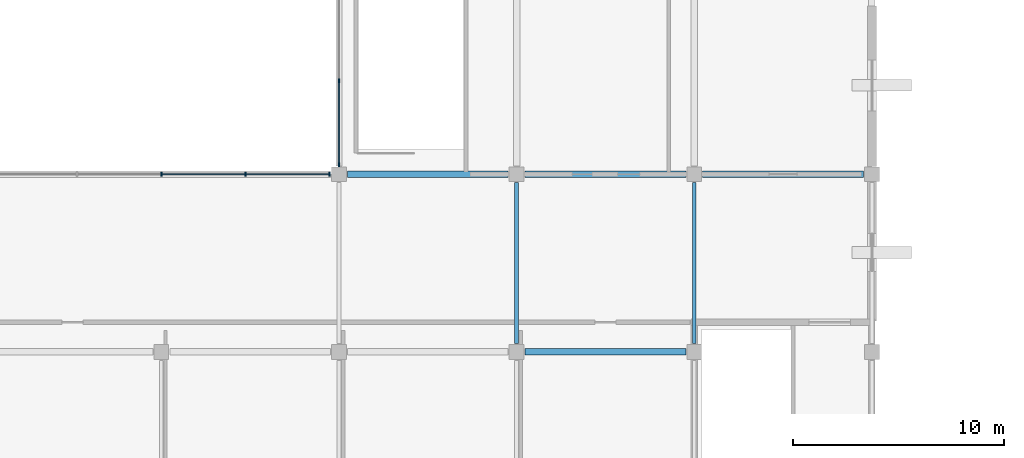
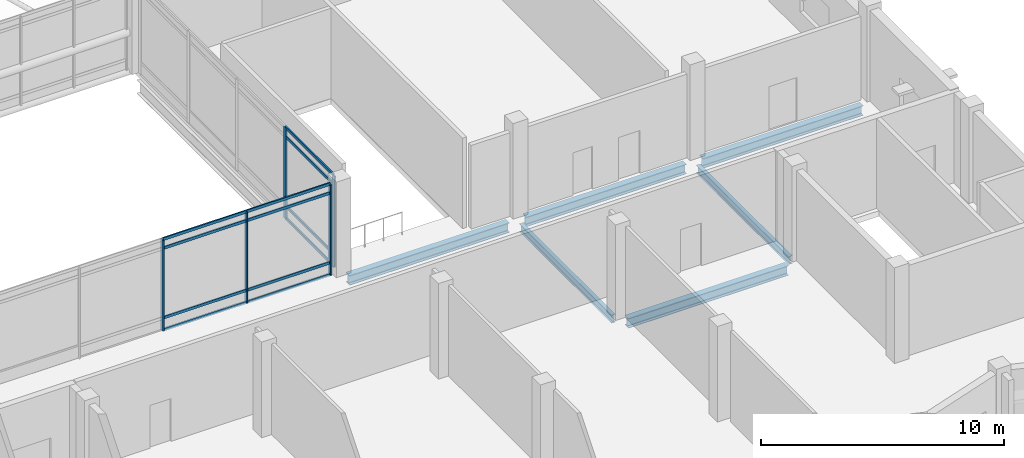
# One storey, part 20 of 110: 17 members, 6 beams, 2 elements without a shape of their own.
"""IFC4 building model written with IfcOpenShell, lengths in metres."""

from ifc_helpers import new_model, si_unit, direction, frame, origin, origin_2d, place, context, subcontext, project, spatial, rectangle, i_section, extrude, material, layer, layer_set, material_profile, profile_set, type_object, element, aggregate, save


model = new_model("IFC4")

# Units and contexts
model_context = context("Model", 3, precision=1e-05, world=origin(), true_north=direction((0.0, 1.0)))
body_context = subcontext(model_context, "Body", "Model", "MODEL_VIEW")
ifc_project = project(units=[si_unit("LENGTHUNIT", "METRE"), si_unit("AREAUNIT", "SQUARE_METRE"), si_unit("VOLUMEUNIT", "CUBIC_METRE"), si_unit("PLANEANGLEUNIT", "RADIAN"), si_unit("MASSUNIT", "GRAM", prefix="KILO")], contexts=[model_context])

# Site, building, storey
site_placement = place(None, origin())
site = spatial("IfcSite", under=ifc_project, at=site_placement, CompositionType="ELEMENT")
building_placement = place(site_placement, origin())
building = spatial("IfcBuilding", under=site, at=building_placement, Name="Qawsi Khor Wholesale Market", CompositionType="ELEMENT")
storey_placement = place(building_placement, frame((0.0, 0.0, 11.39990234375)))
storey = spatial("IfcBuildingStorey", under=building, at=storey_placement, Name="L02", CompositionType="ELEMENT", Elevation=11.39990234375)

# Curtain wall, members
ifc_material_1 = material(Name="Aluminium Anodised Bronze", Category="aluminium")
ifc_layer = layer(ifc_material_1, 0.179931640625, Name="Aluminium Anodised Bronze")
ifc_layer_set = layer_set([ifc_layer], Name="Aluminium Anodised Bronze")
curtain_wall_type = type_object("IfcCurtainWallType", Name="Atrium Full-Height Curtain Wall CW-02", PredefinedType="NOTDEFINED", material=ifc_layer_set)
curtain_wall_1_placement = place(storey_placement, origin())
curtain_wall_1 = element("IfcCurtainWall", 1, at=curtain_wall_1_placement, inside=storey, type_object=curtain_wall_type, Name="Curtain wall CW-CW-02-L02-041", PredefinedType="NOTDEFINED")
ifc_material_profile_1 = material_profile(ifc_material_1, rectangle(XDim=0.070068359375, YDim=0.199951171875, at=origin_2d()), Name="ALU MULLION 70x200")
ifc_profile_set_1 = profile_set([ifc_material_profile_1], Name="Aluminium Anodised Bronze")
member_type_1 = type_object("IfcMemberType", Name="Curtain Wall Mullion CW-02 ALU MULLION 70x200", PredefinedType="MULLION", material=ifc_profile_set_1)
member_1_placement = place(storey_placement, frame((159.60009765625, 25.199951171875, -0.02001953125), z_axis=(0.0, 0.0, 1.0), x_axis=(1.0, 0.0, 0.0)))
member_1 = element("IfcMember", 2, at=member_1_placement, type_object=member_type_1, Name="Mullion CW-CW-02-L02-041-M02", PredefinedType="MULLION", context=body_context, shape_type="SweptSolid", body=[
    extrude(rectangle(XDim=0.070068359375, YDim=0.199951171875, at=origin_2d()), origin(), (0.0, 0.0, 1.0), 4.570068359375),
])
member_2_placement = place(storey_placement, frame((163.577392578125, 25.199951171875, -0.02001953125), z_axis=(0.0, 0.0, 1.0), x_axis=(1.0, 0.0, 0.0)))
member_2 = element("IfcMember", 3, at=member_2_placement, type_object=member_type_1, Name="Mullion CW-CW-02-L02-041-M03", PredefinedType="MULLION", context=body_context, shape_type="SweptSolid", body=[
    extrude(rectangle(XDim=0.070068359375, YDim=0.199951171875, at=origin_2d()), origin(), (0.0, 0.0, 1.0), 4.570068359375),
])
member_3_placement = place(storey_placement, frame((167.554931640625, 25.199951171875, -0.02001953125), z_axis=(0.0, 0.0, 1.0), x_axis=(1.0, 0.0, 0.0)))
member_3 = element("IfcMember", 4, at=member_3_placement, type_object=member_type_1, Name="Mullion CW-CW-02-L02-041-M04", PredefinedType="MULLION", context=body_context, shape_type="SweptSolid", body=[
    extrude(rectangle(XDim=0.070068359375, YDim=0.199951171875, at=origin_2d()), origin(), (0.0, 0.0, 1.0), 4.570068359375),
])

curtain_wall_2_placement = place(storey_placement, origin())
curtain_wall_2 = element("IfcCurtainWall", 5, at=curtain_wall_2_placement, inside=storey, type_object=curtain_wall_type, Name="Curtain wall CW-CW-02-L02-045", PredefinedType="NOTDEFINED")
member_4_placement = place(storey_placement, frame((168.0, 25.64501953125, -0.02001953125), z_axis=(0.0, 0.0, 1.0), x_axis=(1.0, 0.0, 0.0)))
member_4 = element("IfcMember", 6, at=member_4_placement, type_object=member_type_1, Name="Mullion CW-CW-02-L02-045-M00", PredefinedType="MULLION", context=body_context, shape_type="SweptSolid", body=[
    extrude(rectangle(XDim=0.070068359375, YDim=0.199951171875, at=origin_2d()), origin(), (0.0, 0.0, 1.0), 4.570068359375),
])
member_5_placement = place(storey_placement, frame((168.0, 29.62255859375, -0.02001953125), z_axis=(0.0, 0.0, 1.0), x_axis=(1.0, 0.0, 0.0)))
member_5 = element("IfcMember", 7, at=member_5_placement, type_object=member_type_1, Name="Mullion CW-CW-02-L02-045-M01", PredefinedType="MULLION", context=body_context, shape_type="SweptSolid", body=[
    extrude(rectangle(XDim=0.070068359375, YDim=0.199951171875, at=origin_2d()), origin(), (0.0, 0.0, 1.0), 4.570068359375),
])

# Member
ifc_material_profile_2 = material_profile(ifc_material_1, rectangle(XDim=0.06494140625, YDim=0.139892578125, at=origin_2d()), Name="ALU TRANSOM 65x140")
ifc_profile_set_2 = profile_set([ifc_material_profile_2], Name="Aluminium Anodised Bronze")
member_type_2 = type_object("IfcMemberType", Name="Curtain Wall Transom CW-02 ALU TRANSOM 65x140", PredefinedType="USERDEFINED", material=ifc_profile_set_2)
member_6_placement = place(storey_placement, frame((159.60009765625, 25.199951171875, 0.0), z_axis=(1.0, 0.0, 0.0), x_axis=(0.0, 1.0, 0.0)))
member_6 = element("IfcMember", 8, at=member_6_placement, type_object=member_type_2, Name="Transom CW-CW-02-L02-041-T0_02", ObjectType="TRANSOM", PredefinedType="USERDEFINED", context=body_context, shape_type="SweptSolid", body=[
    extrude(rectangle(XDim=0.06494140625, YDim=0.139892578125, at=origin_2d()), origin(), (0.0, 0.0, 1.0), 3.977294921875),
])

member_7_placement = place(storey_placement, frame((163.577392578125, 25.199951171875, 0.0), z_axis=(1.0, 0.0, 0.0), x_axis=(0.0, 1.0, 0.0)))
member_7 = element("IfcMember", 9, at=member_7_placement, type_object=member_type_2, Name="Transom CW-CW-02-L02-041-T0_03", ObjectType="TRANSOM", PredefinedType="USERDEFINED", context=body_context, shape_type="SweptSolid", body=[
    extrude(rectangle(XDim=0.06494140625, YDim=0.139892578125, at=origin_2d()), origin(), (0.0, 0.0, 1.0), 3.9775390625),
])

member_8_placement = place(storey_placement, frame((159.60009765625, 25.199951171875, 0.60009765625), z_axis=(1.0, 0.0, 0.0), x_axis=(0.0, 1.0, 0.0)))
member_8 = element("IfcMember", 10, at=member_8_placement, type_object=member_type_2, Name="Transom CW-CW-02-L02-041-T1_02", ObjectType="TRANSOM", PredefinedType="USERDEFINED", context=body_context, shape_type="SweptSolid", body=[
    extrude(rectangle(XDim=0.06494140625, YDim=0.139892578125, at=origin_2d()), origin(), (0.0, 0.0, 1.0), 3.977294921875),
])

member_9_placement = place(storey_placement, frame((163.577392578125, 25.199951171875, 0.60009765625), z_axis=(1.0, 0.0, 0.0), x_axis=(0.0, 1.0, 0.0)))
member_9 = element("IfcMember", 11, at=member_9_placement, type_object=member_type_2, Name="Transom CW-CW-02-L02-041-T1_03", ObjectType="TRANSOM", PredefinedType="USERDEFINED", context=body_context, shape_type="SweptSolid", body=[
    extrude(rectangle(XDim=0.06494140625, YDim=0.139892578125, at=origin_2d()), origin(), (0.0, 0.0, 1.0), 3.9775390625),
])

member_10_placement = place(storey_placement, frame((159.60009765625, 25.199951171875, 4.10009765625), z_axis=(1.0, 0.0, 0.0), x_axis=(0.0, 1.0, 0.0)))
member_10 = element("IfcMember", 12, at=member_10_placement, type_object=member_type_2, Name="Transom CW-CW-02-L02-041-T2_02", ObjectType="TRANSOM", PredefinedType="USERDEFINED", context=body_context, shape_type="SweptSolid", body=[
    extrude(rectangle(XDim=0.06494140625, YDim=0.139892578125, at=origin_2d()), origin(), (0.0, 0.0, 1.0), 3.977294921875),
])

member_11_placement = place(storey_placement, frame((163.577392578125, 25.199951171875, 4.10009765625), z_axis=(1.0, 0.0, 0.0), x_axis=(0.0, 1.0, 0.0)))
member_11 = element("IfcMember", 13, at=member_11_placement, type_object=member_type_2, Name="Transom CW-CW-02-L02-041-T2_03", ObjectType="TRANSOM", PredefinedType="USERDEFINED", context=body_context, shape_type="SweptSolid", body=[
    extrude(rectangle(XDim=0.06494140625, YDim=0.139892578125, at=origin_2d()), origin(), (0.0, 0.0, 1.0), 3.9775390625),
])

member_12_placement = place(storey_placement, frame((159.60009765625, 25.199951171875, 4.550048828125), z_axis=(1.0, 0.0, 0.0), x_axis=(0.0, 1.0, 0.0)))
member_12 = element("IfcMember", 14, at=member_12_placement, type_object=member_type_2, Name="Transom CW-CW-02-L02-041-T3_02", ObjectType="TRANSOM", PredefinedType="USERDEFINED", context=body_context, shape_type="SweptSolid", body=[
    extrude(rectangle(XDim=0.06494140625, YDim=0.139892578125, at=origin_2d()), origin(), (0.0, 0.0, 1.0), 3.977294921875),
])

member_13_placement = place(storey_placement, frame((163.577392578125, 25.199951171875, 4.550048828125), z_axis=(1.0, 0.0, 0.0), x_axis=(0.0, 1.0, 0.0)))
member_13 = element("IfcMember", 15, at=member_13_placement, type_object=member_type_2, Name="Transom CW-CW-02-L02-041-T3_03", ObjectType="TRANSOM", PredefinedType="USERDEFINED", context=body_context, shape_type="SweptSolid", body=[
    extrude(rectangle(XDim=0.06494140625, YDim=0.139892578125, at=origin_2d()), origin(), (0.0, 0.0, 1.0), 3.9775390625),
])

aggregate(curtain_wall_1, [member_1, member_2, member_3, member_6, member_7, member_8, member_9, member_10, member_11, member_12, member_13])

member_14_placement = place(storey_placement, frame((168.0, 25.64501953125, 0.0), z_axis=(0.0, 1.0, 0.0), x_axis=(-1.0, 0.0, 0.0)))
member_14 = element("IfcMember", 16, at=member_14_placement, type_object=member_type_2, Name="Transom CW-CW-02-L02-045-T0_00", ObjectType="TRANSOM", PredefinedType="USERDEFINED", context=body_context, shape_type="SweptSolid", body=[
    extrude(rectangle(XDim=0.06494140625, YDim=0.139892578125, at=origin_2d()), origin(), (0.0, 0.0, 1.0), 3.9775390625),
])

member_15_placement = place(storey_placement, frame((168.0, 25.64501953125, 0.60009765625), z_axis=(0.0, 1.0, 0.0), x_axis=(-1.0, 0.0, 0.0)))
member_15 = element("IfcMember", 17, at=member_15_placement, type_object=member_type_2, Name="Transom CW-CW-02-L02-045-T1_00", ObjectType="TRANSOM", PredefinedType="USERDEFINED", context=body_context, shape_type="SweptSolid", body=[
    extrude(rectangle(XDim=0.06494140625, YDim=0.139892578125, at=origin_2d()), origin(), (0.0, 0.0, 1.0), 3.9775390625),
])

member_16_placement = place(storey_placement, frame((168.0, 25.64501953125, 4.10009765625), z_axis=(0.0, 1.0, 0.0), x_axis=(-1.0, 0.0, 0.0)))
member_16 = element("IfcMember", 18, at=member_16_placement, type_object=member_type_2, Name="Transom CW-CW-02-L02-045-T2_00", ObjectType="TRANSOM", PredefinedType="USERDEFINED", context=body_context, shape_type="SweptSolid", body=[
    extrude(rectangle(XDim=0.06494140625, YDim=0.139892578125, at=origin_2d()), origin(), (0.0, 0.0, 1.0), 3.9775390625),
])

member_17_placement = place(storey_placement, frame((168.0, 25.64501953125, 4.550048828125), z_axis=(0.0, 1.0, 0.0), x_axis=(-1.0, 0.0, 0.0)))
member_17 = element("IfcMember", 19, at=member_17_placement, type_object=member_type_2, Name="Transom CW-CW-02-L02-045-T3_00", ObjectType="TRANSOM", PredefinedType="USERDEFINED", context=body_context, shape_type="SweptSolid", body=[
    extrude(rectangle(XDim=0.06494140625, YDim=0.139892578125, at=origin_2d()), origin(), (0.0, 0.0, 1.0), 3.9775390625),
])

aggregate(curtain_wall_2, [member_4, member_5, member_14, member_15, member_16, member_17])

# Beams
ifc_material_2 = material(Name="Steel S355", Category="steel")
ifc_material_profile_3 = material_profile(ifc_material_2, i_section(OverallWidth=0.300048828125, OverallDepth=0.489990234375, WebThickness=0.011962890625, FlangeThickness=0.02294921875, FilletRadius=0.027099609375, at=origin_2d()), Name="HEA 500")
ifc_profile_set_3 = profile_set([ifc_material_profile_3], Name="Steel S355")
beam_type_1 = type_object("IfcBeamType", Name="Primary Girder HEA 500", PredefinedType="BEAM", material=ifc_profile_set_3)
beam_1_placement = place(storey_placement, frame((168.39990234375, 25.199951171875, -0.52490234375), z_axis=(1.0, 0.0, 0.0), x_axis=(0.0, 1.0, 0.0)))
element("IfcBeam", 20, at=beam_1_placement, inside=storey, type_object=beam_type_1, Name="BM-X-L02-20_+03", PredefinedType="BEAM", context=body_context, shape_type="SweptSolid", body=[
    extrude(i_section(OverallWidth=0.300048828125, OverallDepth=0.489990234375, WebThickness=0.011962890625, FlangeThickness=0.02294921875, FilletRadius=0.027099609375, at=origin_2d()), origin(), (0.0, 0.0, 1.0), 7.60009765625),
])
for number, where, z_axis, x_axis, name in (
    (21, (176.800048828125, 16.800048828125, -0.52490234375), (1.0, 0.0, 0.0), (0.0, 1.0, 0.0), "BM-X-L02-21_+02"),
    (22, (176.800048828125, 25.199951171875, -0.52490234375), (1.0, 0.0, 0.0), (0.0, 1.0, 0.0), "BM-X-L02-21_+03"),
):
    element("IfcBeam", number, at=place(storey_placement, frame(where, z_axis=z_axis, x_axis=x_axis)), inside=storey, type_object=beam_type_1, Name=name, PredefinedType="BEAM", context=body_context, shape_type="SweptSolid", body=[
        extrude(i_section(OverallWidth=0.300048828125, OverallDepth=0.489990234375, WebThickness=0.011962890625, FlangeThickness=0.02294921875, FilletRadius=0.027099609375, at=origin_2d()), origin(), (0.0, 0.0, 1.0), 7.599853515625),
    ])
beam_2_placement = place(storey_placement, frame((185.199951171875, 25.199951171875, -0.52490234375), z_axis=(1.0, 0.0, 0.0), x_axis=(0.0, 1.0, 0.0)))
element("IfcBeam", 23, at=beam_2_placement, inside=storey, type_object=beam_type_1, Name="BM-X-L02-22_+03", PredefinedType="BEAM", context=body_context, shape_type="SweptSolid", body=[
    extrude(i_section(OverallWidth=0.300048828125, OverallDepth=0.489990234375, WebThickness=0.011962890625, FlangeThickness=0.02294921875, FilletRadius=0.027099609375, at=origin_2d()), origin(), (0.0, 0.0, 1.0), 7.60009765625),
])
ifc_material_profile_4 = material_profile(ifc_material_2, i_section(OverallWidth=0.179931640625, OverallDepth=0.39990234375, WebThickness=0.008544921875, FlangeThickness=0.013427734375, FilletRadius=0.02099609375, at=origin_2d()), Name="IPE 400")
ifc_profile_set_4 = profile_set([ifc_material_profile_4], Name="Steel S355")
beam_type_2 = type_object("IfcBeamType", Name="Secondary Beam IPE 400", PredefinedType="BEAM", material=ifc_profile_set_4)
for number, where, z_axis, x_axis, name in (
    (24, (176.39990234375, 17.199951171875, -0.47998046875), (0.0, 1.0, 0.0), (-1.0, 0.0, 0.0), "BM-Y-L02-21_+02"),
    (25, (184.800048828125, 17.199951171875, -0.47998046875), (0.0, 1.0, 0.0), (-1.0, 0.0, 0.0), "BM-Y-L02-22_+02"),
):
    element("IfcBeam", number, at=place(storey_placement, frame(where, z_axis=z_axis, x_axis=x_axis)), inside=storey, type_object=beam_type_2, Name=name, PredefinedType="BEAM", context=body_context, shape_type="SweptSolid", body=[
        extrude(i_section(OverallWidth=0.179931640625, OverallDepth=0.39990234375, WebThickness=0.008544921875, FlangeThickness=0.013427734375, FilletRadius=0.02099609375, at=origin_2d()), origin(), (0.0, 0.0, 1.0), 7.60009765625),
    ])

save(model, "model.ifc")
